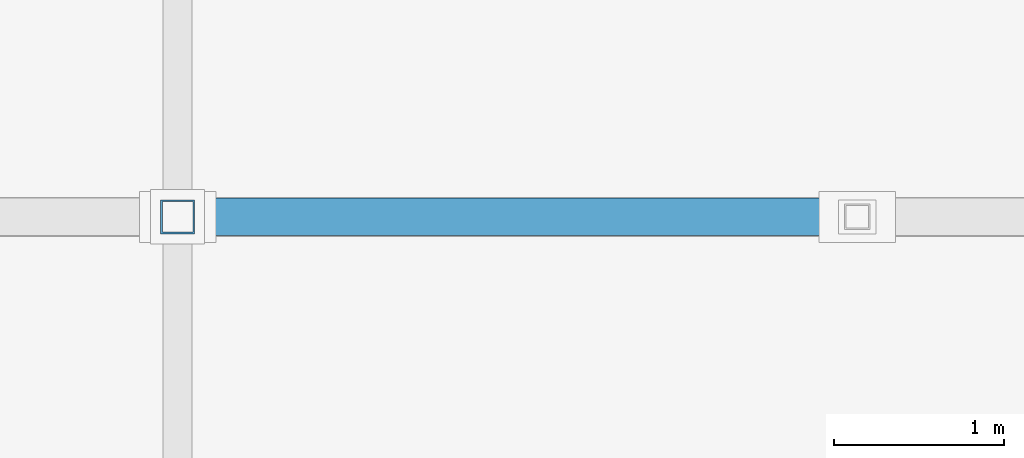
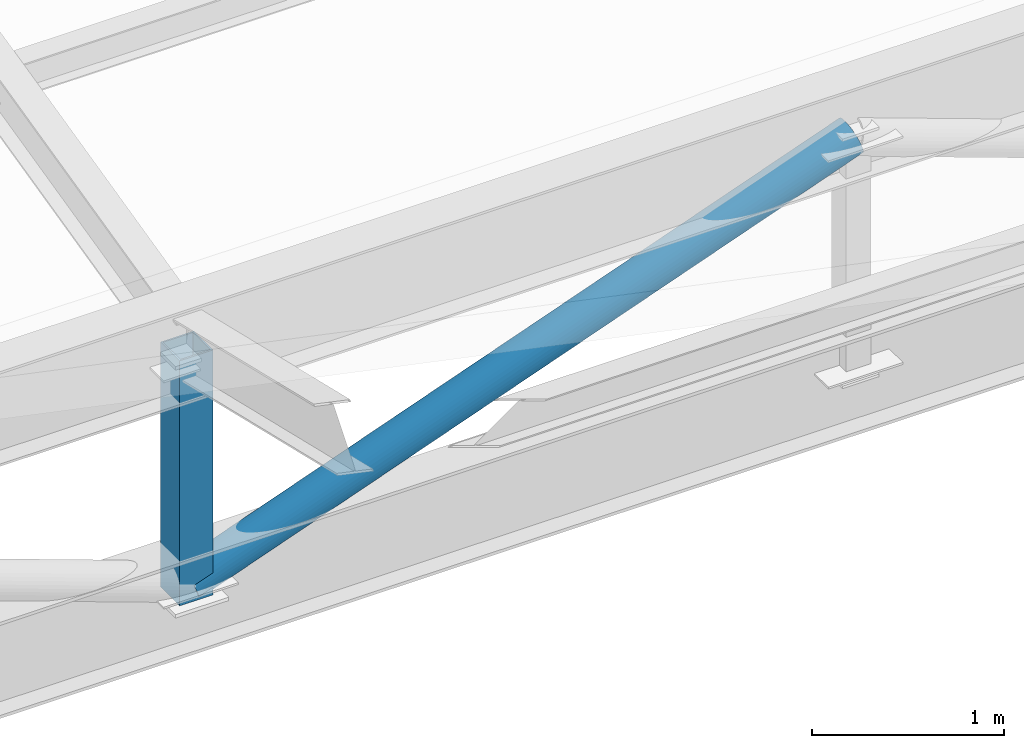
# One storey, part 44 of 112: 2 members.
"""IFC4 building model written with IfcOpenShell, lengths in metres."""

import ifcopenshell
import ifcopenshell.guid

model = None  # the IFC model being written
_history = None  # IfcOwnerHistory: only IFC2X3 demands one
_inside = {}  # id of a spatial element -> (the spatial element, [elements in it])
_under = {}  # id of a project, library or spatial element -> (it, [spatial elements below it])
_declared = {}  # id of a project -> (the project, [libraries it declares])
_typed = {}  # id of a type object -> (the type object, [elements of that type])
_made_of = {}  # id of a material, layer set ... -> (it, [elements and type objects made of it])


def new_model(schema):
    """Start an empty IFC model of exactly this schema.

    Asked for "IFC4X3", IfcOpenShell would pick the latest addendum, in which some entities
    have other attributes; the version numbers below select the first issue.
    IFC2X3 requires an IfcOwnerHistory on every rooted entity: one is made here for all.
    """
    global model, _history
    if schema == "IFC4X3":
        model = ifcopenshell.file(schema_version=(4, 3, 0, 0))
    else:
        model = ifcopenshell.file(schema=schema)
    _inside.clear()
    _under.clear()
    _declared.clear()
    _typed.clear()
    _made_of.clear()
    _history = None
    if model.schema == "IFC2X3":
        org = make("IfcOrganization", Name="unknown")
        user = make(
            "IfcPersonAndOrganization",
            ThePerson=make("IfcPerson", FamilyName="unknown"),
            TheOrganization=org,
        )
        app = make(
            "IfcApplication",
            ApplicationDeveloper=org,
            Version="unknown",
            ApplicationFullName="unknown",
            ApplicationIdentifier="unknown",
        )
        _history = make(
            "IfcOwnerHistory",
            OwningUser=user,
            OwningApplication=app,
            ChangeAction="ADDED",
            CreationDate=0,
        )
    return model


def make(cls, **values):
    """One entity of the class cls with the attributes given. An attribute that is None is left unset."""
    return model.create_entity(
        cls, **{name: value for name, value in values.items() if value is not None}
    )


def rooted(cls, **values):
    """An entity with a GlobalId (a new one), such as an element, a storey or a relation."""
    return make(cls, GlobalId=ifcopenshell.guid.new(), OwnerHistory=_history, **values)


def si_unit(unit_type, name, prefix=None):
    """IfcSIUnit, for example si_unit("LENGTHUNIT", "METRE", prefix="MILLI")."""
    return make("IfcSIUnit", UnitType=unit_type, Prefix=prefix, Name=name)


def assignment(units):
    """IfcUnitAssignment: the units of a project."""
    return None if units is None else make("IfcUnitAssignment", Units=units)


def point(xyz):
    """IfcCartesianPoint."""
    return None if xyz is None else make("IfcCartesianPoint", Coordinates=xyz)


def direction(xyz):
    """IfcDirection."""
    return None if xyz is None else make("IfcDirection", DirectionRatios=xyz)


def frame(location, z_axis=None, x_axis=None):
    """IfcAxis2Placement3D, a coordinate frame: its origin and axes. An axis left out is left unset."""
    return make(
        "IfcAxis2Placement3D",
        Location=point(location),
        Axis=direction(z_axis),
        RefDirection=direction(x_axis),
    )


def frame_2d(location, x_axis=None):
    """IfcAxis2Placement2D, a coordinate frame in the plane: its origin and x axis."""
    return make(
        "IfcAxis2Placement2D", Location=point(location), RefDirection=direction(x_axis)
    )


def origin():
    """The frame at (0, 0, 0) with its axes left unset."""
    return frame((0.0, 0.0, 0.0))


def origin_2d():
    """The frame at (0, 0) in the plane with its x axis left unset."""
    return frame_2d((0.0, 0.0))


def place(relative_to, where):
    """IfcLocalPlacement: puts the frame where relative to a parent placement (None: the world)."""
    return make(
        "IfcLocalPlacement", PlacementRelTo=relative_to, RelativePlacement=where
    )


def context(
    kind, dimensions, precision=None, world=None, true_north=None, identifier=None
):
    """IfcGeometricRepresentationContext, for example the 3D "Model" context."""
    return make(
        "IfcGeometricRepresentationContext",
        ContextIdentifier=identifier,
        ContextType=kind,
        CoordinateSpaceDimension=dimensions,
        Precision=precision,
        WorldCoordinateSystem=world,
        TrueNorth=true_north,
    )


def subcontext(parent, identifier, kind, view, scale=None):
    """IfcGeometricRepresentationSubContext, for example "Body" below "Model"."""
    return make(
        "IfcGeometricRepresentationSubContext",
        ContextIdentifier=identifier,
        ContextType=kind,
        ParentContext=parent,
        TargetScale=scale,
        TargetView=view,
    )


def project(units=None, contexts=None):
    """IfcProject with its units and contexts."""
    return rooted(
        "IfcProject",
        Name="project",
        RepresentationContexts=contexts,
        UnitsInContext=assignment(units),
    )


def spatial(cls, under=None, at=None, **own):
    """A site, building, storey or space (cls), placed at a placement, below another one or the project."""
    s = rooted(cls, ObjectPlacement=at, **own)
    if under is not None:
        _under.setdefault(under.id(), (under, []))[1].append(s)
    return s


def profile(cls, at=None, kind="AREA", **sizes):
    """A parametric profile (cls). Its sizes go by their IFC names, for example OverallWidth=200.0."""
    return make(cls, ProfileType=kind, Position=at, **sizes)


def hollow_rectangle(**sizes):
    """IfcRectangleHollowProfileDef."""
    return profile("IfcRectangleHollowProfileDef", **sizes)


def hollow_circle(**sizes):
    """IfcCircleHollowProfileDef."""
    return profile("IfcCircleHollowProfileDef", **sizes)


def extrude(swept, where, along, depth):
    """IfcExtrudedAreaSolid: the profile swept, set in the frame where, extruded along a direction by depth."""
    return make(
        "IfcExtrudedAreaSolid",
        SweptArea=swept,
        Position=where,
        ExtrudedDirection=direction(along),
        Depth=depth,
    )


def shape(context_of_items, identifier, shape_type, items):
    """IfcShapeRepresentation: the items that make up one representation, for example the "Body"."""
    return make(
        "IfcShapeRepresentation",
        ContextOfItems=context_of_items,
        RepresentationIdentifier=identifier,
        RepresentationType=shape_type,
        Items=items,
    )


def material(Name=None, Category=None):
    """IfcMaterial."""
    return make("IfcMaterial", Name=Name, Category=Category)


def material_profile(
    of_material, cross_section, Name=None, Category=None, Priority=None
):
    """IfcMaterialProfile: a cross section and its material."""
    return make(
        "IfcMaterialProfile",
        Name=Name,
        Material=of_material,
        Profile=cross_section,
        Priority=Priority,
        Category=Category,
    )


def profile_set(profiles, Name=None, composite=None):
    """IfcMaterialProfileSet."""
    return make(
        "IfcMaterialProfileSet",
        Name=Name,
        MaterialProfiles=profiles,
        CompositeProfile=composite,
    )


def made_of(thing, what):
    """Note that an element or type object is made of a material, layer set ...; save() writes the relation."""
    if what is not None:
        _made_of.setdefault(what.id(), (what, []))[1].append(thing)
    return thing


def type_object(cls, material=None, **own):
    """A type object (cls), such as IfcWallType, which elements share."""
    return made_of(rooted(cls, **own), material)


def element(
    cls,
    number,
    at=None,
    inside=None,
    cuts=None,
    type_object=None,
    material=None,
    context=None,
    identifier="Body",
    shape_type=None,
    held_by="IfcProductDefinitionShape",
    body=None,
    shapes=None,
    **own,
):
    """One element of the class cls, such as IfcWall. Its Tag is "e" and its number.

    at: its placement. inside: the storey or other place that contains it. cuts: it is an
    opening in that element (IfcRelVoidsElement). A single representation is given by context,
    identifier, shape_type and body (its items); several are given by shapes. held_by: the class
    of the entity that holds the representations. save() writes the other relations.
    """
    e = rooted(cls, Tag="e%d" % number, ObjectPlacement=at, **own)
    if body is not None:
        shapes = [shape(context, identifier, shape_type, body)]
    if shapes is not None:
        e.Representation = make(held_by, Representations=shapes)
    if inside is not None:
        _inside.setdefault(inside.id(), (inside, []))[1].append(e)
    if cuts is not None:
        rooted(
            "IfcRelVoidsElement", RelatingBuildingElement=cuts, RelatedOpeningElement=e
        )
    if type_object is not None:
        _typed.setdefault(type_object.id(), (type_object, []))[1].append(e)
    return made_of(e, material)


def aggregate(whole, parts):
    """IfcRelAggregates: a whole, such as a stair, and the parts it consists of."""
    return rooted("IfcRelAggregates", RelatingObject=whole, RelatedObjects=parts)


def save(model, path):
    """Write the relations noted so far, then the file.

    IfcRelAggregates (storeys below a building ...), IfcRelContainedInSpatialStructure (elements
    in a storey), IfcRelDefinesByType, IfcRelAssociatesMaterial and IfcRelDeclares: one each for
    every whole, place, type object, material and project.
    """
    for whole, parts in _under.values():
        aggregate(whole, parts)
    for where, things in _inside.values():
        rooted(
            "IfcRelContainedInSpatialStructure",
            RelatedElements=things,
            RelatingStructure=where,
        )
    for kind, things in _typed.values():
        rooted("IfcRelDefinesByType", RelatedObjects=things, RelatingType=kind)
    for what, things in _made_of.values():
        rooted("IfcRelAssociatesMaterial", RelatedObjects=things, RelatingMaterial=what)
    for by, libraries in _declared.values():
        rooted("IfcRelDeclares", RelatingContext=by, RelatedDefinitions=libraries)
    model.write(path)


model = new_model("IFC4")

# Units and contexts
model_context = context("Model", 3, precision=1e-05, world=origin(), true_north=direction((0.0, 1.0)))
body_context = subcontext(model_context, "Body", "Model", "MODEL_VIEW")
ifc_project = project(units=[si_unit("LENGTHUNIT", "METRE"), si_unit("AREAUNIT", "SQUARE_METRE"), si_unit("VOLUMEUNIT", "CUBIC_METRE"), si_unit("PLANEANGLEUNIT", "RADIAN"), si_unit("MASSUNIT", "GRAM", prefix="KILO")], contexts=[model_context])

# Site, building, storey
site_placement = place(None, origin())
site = spatial("IfcSite", under=ifc_project, at=site_placement, CompositionType="ELEMENT")
building_placement = place(site_placement, origin())
building = spatial("IfcBuilding", under=site, at=building_placement, Name="Celadon Cloister-Ring School", CompositionType="ELEMENT")
storey_placement = place(building_placement, frame((0.0, 0.0, 8.5)))
storey = spatial("IfcBuildingStorey", under=building, at=storey_placement, Name="L02", CompositionType="ELEMENT", Elevation=8.5)

# Members
ifc_material_1 = material(Name="Structural steel S355JR", Category="steel")
ifc_material_profile_1 = material_profile(ifc_material_1, hollow_rectangle(XDim=0.199951171875, YDim=0.199951171875, WallThickness=0.010009765625, at=origin_2d()), Name="HSS200X200X10")
ifc_profile_set_1 = profile_set([ifc_material_profile_1], Name="Structural steel S355JR")
member_type_1 = type_object("IfcMemberType", Name="MB-03", PredefinedType="BRACE", material=ifc_profile_set_1)
member_1_placement = place(storey_placement, frame((158.0, 82.0, 0.919921875), z_axis=(0.0, 0.0, 1.0), x_axis=(1.0, 0.0, 0.0)))
element("IfcMember", 1, at=member_1_placement, inside=storey, type_object=member_type_1, Name="Structural Member 0420", PredefinedType="BRACE", context=body_context, shape_type="SweptSolid", body=[
    extrude(hollow_rectangle(XDim=0.199951171875, YDim=0.199951171875, WallThickness=0.010009765625, at=origin_2d()), origin(), (0.0, 0.0, 1.0), 1.56005859375),
])
ifc_material_2 = material(Name="Structural steel S355JR", Category="steel")
ifc_material_profile_2 = material_profile(ifc_material_2, hollow_circle(Radius=0.109619140625, WallThickness=0.010009765625, at=origin_2d()), Name="CHS219.1X10")
ifc_profile_set_2 = profile_set([ifc_material_profile_2], Name="Structural steel S355JR")
member_type_2 = type_object("IfcMemberType", Name="MB-08", PredefinedType="BRACE", material=ifc_profile_set_2)
member_2_placement = place(storey_placement, frame((158.0, 82.0, 0.97998046875), z_axis=(0.94089180426, 0.0, 0.338707266939), x_axis=(0.0, 1.0, 0.0)))
element("IfcMember", 2, at=member_2_placement, inside=storey, type_object=member_type_2, Name="Structural Member 0427", PredefinedType="BRACE", context=body_context, shape_type="SweptSolid", body=[
    extrude(hollow_circle(Radius=0.109619140625, WallThickness=0.010009765625, at=origin_2d()), origin(), (0.0, 0.0, 1.0), 4.251220703125),
])

save(model, "model.ifc")
